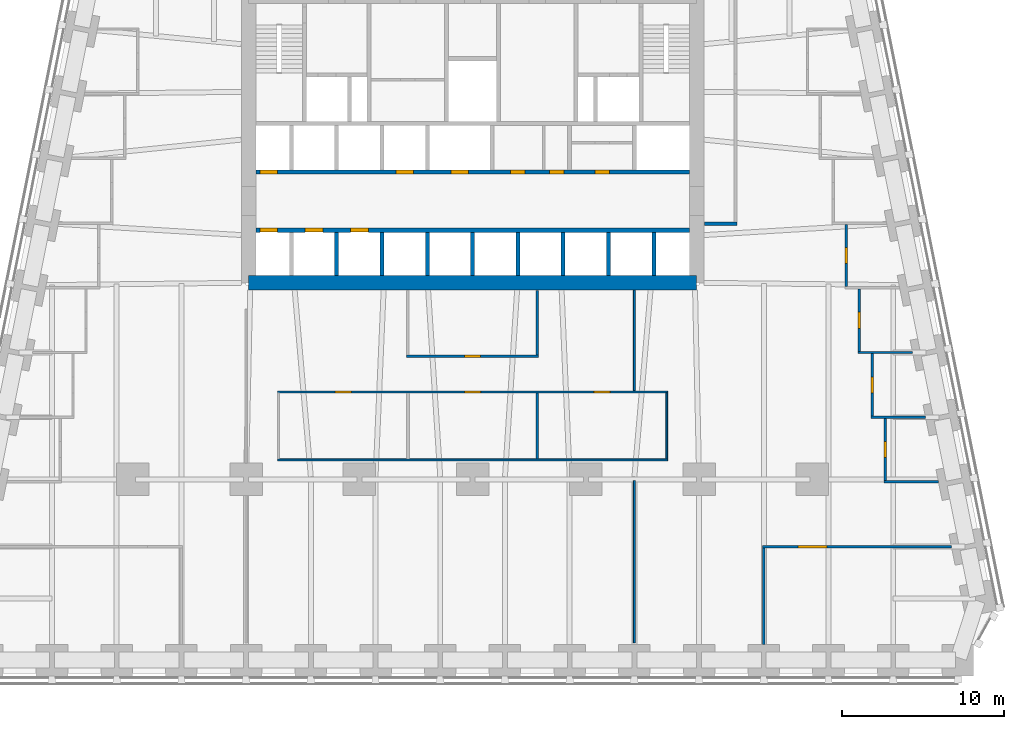
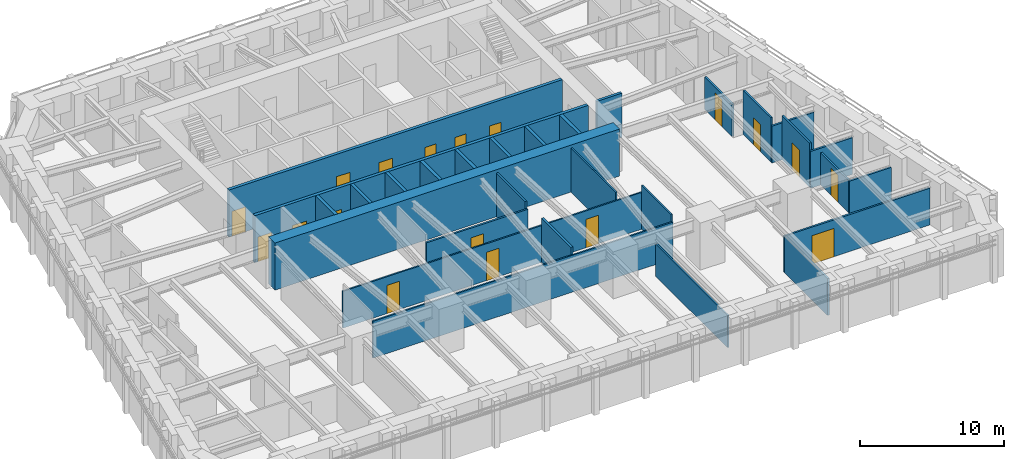
# One storey, part 6 of 10: 29 walls, 18 doors, 18 openings.
"""IFC4 building model written with IfcOpenShell, lengths in metres."""

from ifc_helpers import new_model, si_unit, direction, frame, frame_2d, origin, place, context, subcontext, project, spatial, rectangle, extrude, material, layer, layer_set, type_object, element, fill, save


model = new_model("IFC4")

# Units and contexts
model_context = context("Model", 3, precision=1e-05, world=origin(), true_north=direction((0.0, 1.0)))
body_context = subcontext(model_context, "Body", "Model", "MODEL_VIEW")
ifc_project = project(units=[si_unit("LENGTHUNIT", "METRE"), si_unit("AREAUNIT", "SQUARE_METRE"), si_unit("VOLUMEUNIT", "CUBIC_METRE"), si_unit("PLANEANGLEUNIT", "RADIAN"), si_unit("MASSUNIT", "GRAM", prefix="KILO")], contexts=[model_context])

# Site, building, storey
site_placement = place(None, origin())
site = spatial("IfcSite", under=ifc_project, at=site_placement, CompositionType="ELEMENT")
building_placement = place(site_placement, origin())
building = spatial("IfcBuilding", under=site, at=building_placement, Name="Isbrekke Arena Tower", CompositionType="ELEMENT")
storey_placement = place(building_placement, frame((0.0, 0.0, 88.0)))
storey = spatial("IfcBuildingStorey", under=building, at=storey_placement, Name="L19", CompositionType="ELEMENT", Elevation=88.0)

# Wall
ifc_material_1 = material(Name="Concrete B65 (C65/80)", Category="concrete")
ifc_layer_1 = layer(ifc_material_1, 0.89990234375)
ifc_layer_set_1 = layer_set([ifc_layer_1], Name="CW2 CORE WALL 900")
wall_type_1 = type_object("IfcWallType", Name="CW2 CORE WALL 900", PredefinedType="SHEAR", material=ifc_layer_set_1)
wall_1_placement = place(storey_placement, frame((-13.85009765625, 6.14990234375, 0.0), z_axis=(0.0, 0.0, 1.0), x_axis=(1.0, 0.0, 0.0)))
element("IfcWall", 1, at=wall_1_placement, inside=storey, type_object=wall_type_1, Name="Core wall S L19", PredefinedType="SHEAR", context=body_context, shape_type="SweptSolid", body=[
    extrude(rectangle(XDim=27.7001953125, YDim=0.89990234375, at=frame_2d((13.85009765625, 0.0))), origin(), (0.0, 0.0, 1.0), 4.0),
])

# Wall, openings, doors
ifc_material_2 = material(Name="Concrete B45 (C45/55)", Category="concrete")
ifc_layer_2 = layer(ifc_material_2, 0.25)
ifc_layer_set_2 = layer_set([ifc_layer_2], Name="CW6 SHAFT WALL 250")
wall_type_2 = type_object("IfcWallType", Name="CW6 SHAFT WALL 250", PredefinedType="SHEAR", material=ifc_layer_set_2)
wall_2_placement = place(storey_placement, frame((-13.39990234375, 9.39990234375, 0.0), z_axis=(0.0, 0.0, 1.0), x_axis=(1.0, 0.0, 0.0)))
wall_2 = element("IfcWall", 2, at=wall_2_placement, inside=storey, type_object=wall_type_2, Name="Core wall LS L19", PredefinedType="SHEAR", context=body_context, shape_type="SweptSolid", body=[
    extrude(rectangle(XDim=26.7998046875, YDim=0.25, at=frame_2d((13.39990234375, 0.0))), origin(), (0.0, 0.0, 1.0), 4.0),
])
opening_1_placement = place(wall_2_placement, frame((0.25, 0.0, 0.0)))
opening_1 = element("IfcOpeningElement", 3, at=opening_1_placement, cuts=wall_2, Name="Opening LD1", PredefinedType="OPENING", context=body_context, shape_type="SweptSolid", body=[
    extrude(rectangle(XDim=1.10009765625, YDim=2.10009765625, at=frame_2d((0.550048828125, 1.050048828125))), frame((0.0, 0.139892578125, 0.0), z_axis=(0.0, -1.0, 0.0), x_axis=(1.0, 0.0, 0.0)), (0.0, 0.0, 1.0), 0.27978515625),
])
opening_2_placement = place(wall_2_placement, frame((3.050048828125, 0.0, 0.0)))
opening_2 = element("IfcOpeningElement", 4, at=opening_2_placement, cuts=wall_2, Name="Opening LD1", PredefinedType="OPENING", context=body_context, shape_type="SweptSolid", body=[
    extrude(rectangle(XDim=1.10009765625, YDim=2.10009765625, at=frame_2d((0.550048828125, 1.050048828125))), frame((0.0, 0.139892578125, 0.0), z_axis=(0.0, -1.0, 0.0), x_axis=(1.0, 0.0, 0.0)), (0.0, 0.0, 1.0), 0.27978515625),
])
opening_3_placement = place(wall_2_placement, frame((5.85009765625, 0.0, 0.0)))
opening_3 = element("IfcOpeningElement", 5, at=opening_3_placement, cuts=wall_2, Name="Opening LD1", PredefinedType="OPENING", context=body_context, shape_type="SweptSolid", body=[
    extrude(rectangle(XDim=1.10009765625, YDim=2.10009765625, at=frame_2d((0.550048828125, 1.050048828125))), frame((0.0, 0.139892578125, 0.0), z_axis=(0.0, -1.0, 0.0), x_axis=(1.0, 0.0, 0.0)), (0.0, 0.0, 1.0), 0.27978515625),
])
ifc_material_3 = material(Name="Stainless steel lift landing door", Category="steel")
door_type_1 = type_object("IfcDoorType", Name="LD1 LIFT LANDING DOOR 1100 x 2100", OperationType="SLIDING_TO_LEFT", PredefinedType="DOOR", material=ifc_material_3)
door_1_placement = place(opening_1_placement, origin())
door_1 = element("IfcDoor", 6, at=door_1_placement, inside=storey, type_object=door_type_1, Name="LD1 lift landing door LA L19", OperationType="SLIDING_TO_LEFT", OverallHeight=2.10009765625, OverallWidth=1.10009765625, PredefinedType="DOOR", context=body_context, shape_type="SweptSolid", body=[
    extrude(rectangle(XDim=1.10009765625, YDim=2.10009765625, at=frame_2d((0.550048828125, 1.050048828125))), frame((0.0, 0.124755859375, 0.0), z_axis=(0.0, -1.0, 0.0), x_axis=(1.0, 0.0, 0.0)), (0.0, 0.0, 1.0), 0.24951171875),
])
fill(opening_1, door_1)
door_2_placement = place(opening_2_placement, origin())
door_2 = element("IfcDoor", 7, at=door_2_placement, inside=storey, type_object=door_type_1, Name="LD1 lift landing door LA L19", OperationType="SLIDING_TO_LEFT", OverallHeight=2.10009765625, OverallWidth=1.10009765625, PredefinedType="DOOR", context=body_context, shape_type="SweptSolid", body=[
    extrude(rectangle(XDim=1.10009765625, YDim=2.10009765625, at=frame_2d((0.550048828125, 1.050048828125))), frame((0.0, 0.124755859375, 0.0), z_axis=(0.0, -1.0, 0.0), x_axis=(1.0, 0.0, 0.0)), (0.0, 0.0, 1.0), 0.24951171875),
])
fill(opening_2, door_2)
door_3_placement = place(opening_3_placement, origin())
door_3 = element("IfcDoor", 8, at=door_3_placement, inside=storey, type_object=door_type_1, Name="LD1 lift landing door LA L19", OperationType="SLIDING_TO_LEFT", OverallHeight=2.10009765625, OverallWidth=1.10009765625, PredefinedType="DOOR", context=body_context, shape_type="SweptSolid", body=[
    extrude(rectangle(XDim=1.10009765625, YDim=2.10009765625, at=frame_2d((0.550048828125, 1.050048828125))), frame((0.0, 0.124755859375, 0.0), z_axis=(0.0, -1.0, 0.0), x_axis=(1.0, 0.0, 0.0)), (0.0, 0.0, 1.0), 0.24951171875),
])
fill(opening_3, door_3)

wall_3_placement = place(storey_placement, frame((-13.39990234375, 13.0, 0.0), z_axis=(0.0, 0.0, 1.0), x_axis=(1.0, 0.0, 0.0)))
wall_3 = element("IfcWall", 9, at=wall_3_placement, inside=storey, type_object=wall_type_2, Name="Core wall LN L19", PredefinedType="SHEAR", context=body_context, shape_type="SweptSolid", body=[
    extrude(rectangle(XDim=26.7998046875, YDim=0.25, at=frame_2d((13.39990234375, 0.0))), origin(), (0.0, 0.0, 1.0), 4.0),
])
opening_4_placement = place(wall_3_placement, frame((0.25, 0.0, 0.0)))
opening_4 = element("IfcOpeningElement", 10, at=opening_4_placement, cuts=wall_3, Name="Opening LD1", PredefinedType="OPENING", context=body_context, shape_type="SweptSolid", body=[
    extrude(rectangle(XDim=1.10009765625, YDim=2.10009765625, at=frame_2d((0.550048828125, 1.050048828125))), frame((0.0, 0.139892578125, 0.0), z_axis=(0.0, -1.0, 0.0), x_axis=(1.0, 0.0, 0.0)), (0.0, 0.0, 1.0), 0.27978515625),
])
opening_5_placement = place(wall_3_placement, frame((8.64990234375, 0.0, 0.0)))
opening_5 = element("IfcOpeningElement", 11, at=opening_5_placement, cuts=wall_3, Name="Opening LD1", PredefinedType="OPENING", context=body_context, shape_type="SweptSolid", body=[
    extrude(rectangle(XDim=1.10009765625, YDim=2.10009765625, at=frame_2d((0.550048828125, 1.050048828125))), frame((0.0, 0.139892578125, 0.0), z_axis=(0.0, -1.0, 0.0), x_axis=(1.0, 0.0, 0.0)), (0.0, 0.0, 1.0), 0.27978515625),
])
opening_6_placement = place(wall_3_placement, frame((12.050048828125, 0.0, 0.0)))
opening_6 = element("IfcOpeningElement", 12, at=opening_6_placement, cuts=wall_3, Name="Opening LD1", PredefinedType="OPENING", context=body_context, shape_type="SweptSolid", body=[
    extrude(rectangle(XDim=1.10009765625, YDim=2.10009765625, at=frame_2d((0.550048828125, 1.050048828125))), frame((0.0, 0.139892578125, 0.0), z_axis=(0.0, -1.0, 0.0), x_axis=(1.0, 0.0, 0.0)), (0.0, 0.0, 1.0), 0.27978515625),
])
opening_7_placement = place(wall_3_placement, frame((15.75, 0.0, 0.0)))
opening_7 = element("IfcOpeningElement", 13, at=opening_7_placement, cuts=wall_3, Name="Opening D5", PredefinedType="OPENING", context=body_context, shape_type="SweptSolid", body=[
    extrude(rectangle(XDim=0.89990234375, YDim=2.10009765625, at=frame_2d((0.449951171875, 1.050048828125))), frame((0.0, 0.139892578125, 0.0), z_axis=(0.0, -1.0, 0.0), x_axis=(1.0, 0.0, 0.0)), (0.0, 0.0, 1.0), 0.27978515625),
])
opening_8_placement = place(wall_3_placement, frame((18.14990234375, 0.0, 0.0)))
opening_8 = element("IfcOpeningElement", 14, at=opening_8_placement, cuts=wall_3, Name="Opening D5", PredefinedType="OPENING", context=body_context, shape_type="SweptSolid", body=[
    extrude(rectangle(XDim=0.89990234375, YDim=2.10009765625, at=frame_2d((0.449951171875, 1.050048828125))), frame((0.0, 0.139892578125, 0.0), z_axis=(0.0, -1.0, 0.0), x_axis=(1.0, 0.0, 0.0)), (0.0, 0.0, 1.0), 0.27978515625),
])
opening_9_placement = place(wall_3_placement, frame((20.949951171875, 0.0, 0.0)))
opening_9 = element("IfcOpeningElement", 15, at=opening_9_placement, cuts=wall_3, Name="Opening D5", PredefinedType="OPENING", context=body_context, shape_type="SweptSolid", body=[
    extrude(rectangle(XDim=0.89990234375, YDim=2.10009765625, at=frame_2d((0.449951171875, 1.050048828125))), frame((0.0, 0.139892578125, 0.0), z_axis=(0.0, -1.0, 0.0), x_axis=(1.0, 0.0, 0.0)), (0.0, 0.0, 1.0), 0.27978515625),
])
ifc_material_4 = material(Name="Steel fire door", Category="steel")
door_type_2 = type_object("IfcDoorType", Name="D5 SERVICE DOOR 900 x 2100", OperationType="SINGLE_SWING_LEFT", PredefinedType="DOOR", material=ifc_material_4)
door_4_placement = place(opening_7_placement, origin())
door_4 = element("IfcDoor", 16, at=door_4_placement, inside=storey, type_object=door_type_2, Name="D5 first-aid room door L19", OperationType="SINGLE_SWING_LEFT", OverallHeight=2.10009765625, OverallWidth=0.89990234375, PredefinedType="DOOR", context=body_context, shape_type="SweptSolid", body=[
    extrude(rectangle(XDim=0.89990234375, YDim=2.10009765625, at=frame_2d((0.449951171875, 1.050048828125))), frame((0.0, 0.124755859375, 0.0), z_axis=(0.0, -1.0, 0.0), x_axis=(1.0, 0.0, 0.0)), (0.0, 0.0, 1.0), 0.24951171875),
])
fill(opening_7, door_4)
door_5_placement = place(opening_8_placement, origin())
door_5 = element("IfcDoor", 17, at=door_5_placement, inside=storey, type_object=door_type_2, Name="D5 cleaner's store door L19", OperationType="SINGLE_SWING_LEFT", OverallHeight=2.10009765625, OverallWidth=0.89990234375, PredefinedType="DOOR", context=body_context, shape_type="SweptSolid", body=[
    extrude(rectangle(XDim=0.89990234375, YDim=2.10009765625, at=frame_2d((0.449951171875, 1.050048828125))), frame((0.0, 0.124755859375, 0.0), z_axis=(0.0, -1.0, 0.0), x_axis=(1.0, 0.0, 0.0)), (0.0, 0.0, 1.0), 0.24951171875),
])
fill(opening_8, door_5)
door_6_placement = place(opening_9_placement, origin())
door_6 = element("IfcDoor", 18, at=door_6_placement, inside=storey, type_object=door_type_2, Name="D5 communications room door L19", OperationType="SINGLE_SWING_LEFT", OverallHeight=2.10009765625, OverallWidth=0.89990234375, PredefinedType="DOOR", context=body_context, shape_type="SweptSolid", body=[
    extrude(rectangle(XDim=0.89990234375, YDim=2.10009765625, at=frame_2d((0.449951171875, 1.050048828125))), frame((0.0, 0.124755859375, 0.0), z_axis=(0.0, -1.0, 0.0), x_axis=(1.0, 0.0, 0.0)), (0.0, 0.0, 1.0), 0.24951171875),
])
fill(opening_9, door_6)
door_7_placement = place(opening_4_placement, origin())
door_7 = element("IfcDoor", 19, at=door_7_placement, inside=storey, type_object=door_type_1, Name="LD1 lift landing door LA L19", OperationType="SLIDING_TO_LEFT", OverallHeight=2.10009765625, OverallWidth=1.10009765625, PredefinedType="DOOR", context=body_context, shape_type="SweptSolid", body=[
    extrude(rectangle(XDim=1.10009765625, YDim=2.10009765625, at=frame_2d((0.550048828125, 1.050048828125))), frame((0.0, 0.124755859375, 0.0), z_axis=(0.0, -1.0, 0.0), x_axis=(1.0, 0.0, 0.0)), (0.0, 0.0, 1.0), 0.24951171875),
])
fill(opening_4, door_7)
door_8_placement = place(opening_5_placement, origin())
door_8 = element("IfcDoor", 20, at=door_8_placement, inside=storey, type_object=door_type_1, Name="LD1 lift landing door LA L19", OperationType="SLIDING_TO_LEFT", OverallHeight=2.10009765625, OverallWidth=1.10009765625, PredefinedType="DOOR", context=body_context, shape_type="SweptSolid", body=[
    extrude(rectangle(XDim=1.10009765625, YDim=2.10009765625, at=frame_2d((0.550048828125, 1.050048828125))), frame((0.0, 0.124755859375, 0.0), z_axis=(0.0, -1.0, 0.0), x_axis=(1.0, 0.0, 0.0)), (0.0, 0.0, 1.0), 0.24951171875),
])
fill(opening_5, door_8)
door_9_placement = place(opening_6_placement, origin())
door_9 = element("IfcDoor", 21, at=door_9_placement, inside=storey, type_object=door_type_1, Name="LD1 lift landing door LA L19", OperationType="SLIDING_TO_LEFT", OverallHeight=2.10009765625, OverallWidth=1.10009765625, PredefinedType="DOOR", context=body_context, shape_type="SweptSolid", body=[
    extrude(rectangle(XDim=1.10009765625, YDim=2.10009765625, at=frame_2d((0.550048828125, 1.050048828125))), frame((0.0, 0.124755859375, 0.0), z_axis=(0.0, -1.0, 0.0), x_axis=(1.0, 0.0, 0.0)), (0.0, 0.0, 1.0), 0.24951171875),
])
fill(opening_6, door_9)

# Walls
for number, where, z_axis, x_axis, name in (
    (22, (-8.39990234375, 6.60009765625, 0.0), (0.0, 0.0, 1.0), (0.0, 1.0, 0.0), "Core wall SS02 L19"),
    (23, (-5.60009765625, 6.60009765625, 0.0), (0.0, 0.0, 1.0), (0.0, 1.0, 0.0), "Core wall SS03 L19"),
    (24, (-2.800048828125, 6.60009765625, 0.0), (0.0, 0.0, 1.0), (0.0, 1.0, 0.0), "Core wall SS04 L19"),
    (25, (0.0, 6.60009765625, 0.0), (0.0, 0.0, 1.0), (0.0, 1.0, 0.0), "Core wall SS05 L19"),
    (26, (2.800048828125, 6.60009765625, 0.0), (0.0, 0.0, 1.0), (0.0, 1.0, 0.0), "Core wall SS06 L19"),
    (27, (5.60009765625, 6.60009765625, 0.0), (0.0, 0.0, 1.0), (0.0, 1.0, 0.0), "Core wall SS07 L19"),
    (28, (8.39990234375, 6.60009765625, 0.0), (0.0, 0.0, 1.0), (0.0, 1.0, 0.0), "Core wall SS08 L19"),
    (29, (11.199951171875, 6.60009765625, 0.0), (0.0, 0.0, 1.0), (0.0, 1.0, 0.0), "Core wall SS09 L19"),
):
    element("IfcWall", number, at=place(storey_placement, frame(where, z_axis=z_axis, x_axis=x_axis)), inside=storey, type_object=wall_type_2, Name=name, PredefinedType="SHEAR", context=body_context, shape_type="SweptSolid", body=[
        extrude(rectangle(XDim=2.6748046875, YDim=0.25, at=frame_2d((1.33740234375, 0.0))), origin(), (0.0, 0.0, 1.0), 4.0),
    ])

# Wall, opening, door
ifc_material_5 = material(Name="Gypsum board partition on steel studs", Category="steel")
ifc_layer_3 = layer(ifc_material_5, 0.14990234375)
ifc_layer_set_3 = layer_set([ifc_layer_3], Name="IW1 PARTITION 150")
wall_type_3 = type_object("IfcWallType", Name="IW1 PARTITION 150", PredefinedType="PARTITIONING", material=ifc_layer_set_3)
wall_4_placement = place(storey_placement, frame((17.925048828125, -10.159912109375, 0.0), z_axis=(0.0, 0.0, 1.0), x_axis=(1.0, 0.0, 0.0)))
wall_4 = element("IfcWall", 30, at=wall_4_placement, inside=storey, type_object=wall_type_3, Name="IW1 partition 150 L19", PredefinedType="PARTITIONING", context=body_context, shape_type="SweptSolid", body=[
    extrude(rectangle(XDim=11.67138671875, YDim=0.14990234375, at=frame_2d((5.835693359375, 0.0))), origin(), (0.0, 0.0, 1.0), 3.1298828125),
])
opening_10_placement = place(wall_4_placement, frame((2.175048828125, 0.0, 0.0)))
opening_10 = element("IfcOpeningElement", 31, at=opening_10_placement, cuts=wall_4, Name="Opening D13", PredefinedType="OPENING", context=body_context, shape_type="SweptSolid", body=[
    extrude(rectangle(XDim=1.800048828125, YDim=2.39990234375, at=frame_2d((0.89990234375, 1.199951171875))), frame((0.0, 0.08984375, 0.0), z_axis=(0.0, -1.0, 0.0), x_axis=(1.0, 0.0, 0.0)), (0.0, 0.0, 1.0), 0.1796875),
])
ifc_material_6 = material(Name="Timber door pair", Category="wood")
door_type_3 = type_object("IfcDoorType", Name="D13 DOUBLE ROOM DOOR 1800 x 2400", OperationType="DOUBLE_DOOR_SINGLE_SWING", PredefinedType="DOOR", material=ifc_material_6)
door_10_placement = place(opening_10_placement, origin())
door_10 = element("IfcDoor", 32, at=door_10_placement, inside=storey, type_object=door_type_3, Name="D13 office door L19", OperationType="DOUBLE_DOOR_SINGLE_SWING", OverallHeight=2.39990234375, OverallWidth=1.800048828125, PredefinedType="DOOR", context=body_context, shape_type="SweptSolid", body=[
    extrude(rectangle(XDim=1.800048828125, YDim=2.39990234375, at=frame_2d((0.89990234375, 1.199951171875))), frame((0.0, 0.07470703125, 0.0), z_axis=(0.0, -1.0, 0.0), x_axis=(1.0, 0.0, 0.0)), (0.0, 0.0, 1.0), 0.1494140625),
])
fill(opening_10, door_10)

# Walls
wall_5_placement = place(storey_placement, frame((25.425048828125, -6.159912109375, 0.0), z_axis=(0.0, 0.0, 1.0), x_axis=(1.0, 0.0, 0.0)))
element("IfcWall", 33, at=wall_5_placement, inside=storey, type_object=wall_type_3, Name="IW1 partition 150 L19", PredefinedType="PARTITIONING", context=body_context, shape_type="SweptSolid", body=[
    extrude(rectangle(XDim=3.371337890625, YDim=0.14990234375, at=frame_2d((1.685546875, 0.0))), origin(), (0.0, 0.0, 1.0), 2.741943359375),
])
wall_6_placement = place(storey_placement, frame((24.625, -2.159912109375, 0.0), z_axis=(0.0, 0.0, 1.0), x_axis=(1.0, 0.0, 0.0)))
element("IfcWall", 34, at=wall_6_placement, inside=storey, type_object=wall_type_3, Name="IW1 partition 150 L19", PredefinedType="PARTITIONING", context=body_context, shape_type="SweptSolid", body=[
    extrude(rectangle(XDim=3.371337890625, YDim=0.14990234375, at=frame_2d((1.685546875, 0.0))), origin(), (0.0, 0.0, 1.0), 3.1298828125),
])

# Wall, opening, door
wall_7_placement = place(storey_placement, frame((-4.074951171875, 1.60009765625, 0.0), z_axis=(0.0, 0.0, 1.0), x_axis=(1.0, 0.0, 0.0)))
wall_7 = element("IfcWall", 35, at=wall_7_placement, inside=storey, type_object=wall_type_3, Name="IW1 partition 150 L19", PredefinedType="PARTITIONING", context=body_context, shape_type="SweptSolid", body=[
    extrude(rectangle(XDim=8.14990234375, YDim=0.14990234375, at=frame_2d((4.074951171875, 0.0))), origin(), (0.0, 0.0, 1.0), 3.1298828125),
])
opening_11_placement = place(wall_7_placement, frame((3.574951171875, 0.0, 0.0)))
opening_11 = element("IfcOpeningElement", 36, at=opening_11_placement, cuts=wall_7, Name="Opening D10", PredefinedType="OPENING", context=body_context, shape_type="SweptSolid", body=[
    extrude(rectangle(XDim=1.0, YDim=2.300048828125, at=frame_2d((0.5, 1.14990234375))), frame((0.0, 0.08984375, 0.0), z_axis=(0.0, -1.0, 0.0), x_axis=(1.0, 0.0, 0.0)), (0.0, 0.0, 1.0), 0.1796875),
])
ifc_material_7 = material(Name="Timber door", Category="wood")
door_type_4 = type_object("IfcDoorType", Name="D10 OFFICE DOOR 1000 x 2300", OperationType="SINGLE_SWING_LEFT", PredefinedType="DOOR", material=ifc_material_7)
door_11_placement = place(opening_11_placement, origin())
door_11 = element("IfcDoor", 37, at=door_11_placement, inside=storey, type_object=door_type_4, Name="D10 pantry door L19", OperationType="SINGLE_SWING_LEFT", OverallHeight=2.300048828125, OverallWidth=1.0, PredefinedType="DOOR", context=body_context, shape_type="SweptSolid", body=[
    extrude(rectangle(XDim=1.0, YDim=2.300048828125, at=frame_2d((0.5, 1.14990234375))), frame((0.0, 0.07470703125, 0.0), z_axis=(0.0, -1.0, 0.0), x_axis=(1.0, 0.0, 0.0)), (0.0, 0.0, 1.0), 0.1494140625),
])
fill(opening_11, door_11)

# Walls
wall_8_placement = place(storey_placement, frame((23.824951171875, 1.840087890625, 0.0), z_axis=(0.0, 0.0, 1.0), x_axis=(1.0, 0.0, 0.0)))
element("IfcWall", 38, at=wall_8_placement, inside=storey, type_object=wall_type_3, Name="IW1 partition 150 L19", PredefinedType="PARTITIONING", context=body_context, shape_type="SweptSolid", body=[
    extrude(rectangle(XDim=3.371337890625, YDim=0.14990234375, at=frame_2d((1.685546875, 0.0))), origin(), (0.0, 0.0, 1.0), 3.1298828125),
])
wall_9_placement = place(storey_placement, frame((4.0, 1.675048828125, 0.0), z_axis=(0.0, 0.0, 1.0), x_axis=(0.0, 1.0, 0.0)))
element("IfcWall", 39, at=wall_9_placement, inside=storey, type_object=wall_type_3, Name="IW1 partition 150 L19", PredefinedType="PARTITIONING", context=body_context, shape_type="SweptSolid", body=[
    extrude(rectangle(XDim=3.994873046875, YDim=0.14990234375, at=frame_2d((1.99755859375, 0.0))), origin(), (0.0, 0.0, 1.0), 3.75),
])
wall_10_placement = place(storey_placement, frame((18.0, -16.199951171875, 0.0), z_axis=(0.0, 0.0, 1.0), x_axis=(0.0, 1.0, 0.0)))
element("IfcWall", 40, at=wall_10_placement, inside=storey, type_object=wall_type_3, Name="IW1 partition 150 L19", PredefinedType="PARTITIONING", context=body_context, shape_type="SweptSolid", body=[
    extrude(rectangle(XDim=5.96484375, YDim=0.14990234375, at=frame_2d((2.982421875, 0.0))), origin(), (0.0, 0.0, 1.0), 3.1298828125),
])

# Wall, opening, door
wall_11_placement = place(storey_placement, frame((23.10009765625, 5.9150390625, 0.0), z_axis=(0.0, 0.0, 1.0), x_axis=(0.0, 1.0, 0.0)))
wall_11 = element("IfcWall", 41, at=wall_11_placement, inside=storey, type_object=wall_type_3, Name="IW1 partition 150 L19", PredefinedType="PARTITIONING", context=body_context, shape_type="SweptSolid", body=[
    extrude(rectangle(XDim=3.849853515625, YDim=0.14990234375, at=frame_2d((1.9248046875, 0.0))), origin(), (0.0, 0.0, 1.0), 2.741943359375),
])
opening_12_placement = place(wall_11_placement, frame((1.425048828125, 0.0, 0.0)))
opening_12 = element("IfcOpeningElement", 42, at=opening_12_placement, cuts=wall_11, Name="Opening D10", PredefinedType="OPENING", context=body_context, shape_type="SweptSolid", body=[
    extrude(rectangle(XDim=1.0, YDim=2.300048828125, at=frame_2d((0.5, 1.14990234375))), frame((0.0, 0.08984375, 0.0), z_axis=(0.0, -1.0, 0.0), x_axis=(1.0, 0.0, 0.0)), (0.0, 0.0, 1.0), 0.1796875),
])
door_12_placement = place(opening_12_placement, origin())
door_12 = element("IfcDoor", 43, at=door_12_placement, inside=storey, type_object=door_type_4, Name="D10 office door L19", OperationType="SINGLE_SWING_LEFT", OverallHeight=2.300048828125, OverallWidth=1.0, PredefinedType="DOOR", context=body_context, shape_type="SweptSolid", body=[
    extrude(rectangle(XDim=1.0, YDim=2.300048828125, at=frame_2d((0.5, 1.14990234375))), frame((0.0, 0.07470703125, 0.0), z_axis=(0.0, -1.0, 0.0), x_axis=(1.0, 0.0, 0.0)), (0.0, 0.0, 1.0), 0.1494140625),
])
fill(opening_12, door_12)

wall_12_placement = place(storey_placement, frame((23.89990234375, 1.9150390625, 0.0), z_axis=(0.0, 0.0, 1.0), x_axis=(0.0, 1.0, 0.0)))
wall_12 = element("IfcWall", 44, at=wall_12_placement, inside=storey, type_object=wall_type_3, Name="IW1 partition 150 L19", PredefinedType="PARTITIONING", context=body_context, shape_type="SweptSolid", body=[
    extrude(rectangle(XDim=3.849853515625, YDim=0.14990234375, at=frame_2d((1.9248046875, 0.0))), origin(), (0.0, 0.0, 1.0), 3.75),
])
opening_13_placement = place(wall_12_placement, frame((1.425048828125, 0.0, 0.0)))
opening_13 = element("IfcOpeningElement", 45, at=opening_13_placement, cuts=wall_12, Name="Opening D10", PredefinedType="OPENING", context=body_context, shape_type="SweptSolid", body=[
    extrude(rectangle(XDim=1.0, YDim=2.300048828125, at=frame_2d((0.5, 1.14990234375))), frame((0.0, 0.08984375, 0.0), z_axis=(0.0, -1.0, 0.0), x_axis=(1.0, 0.0, 0.0)), (0.0, 0.0, 1.0), 0.1796875),
])
door_13_placement = place(opening_13_placement, origin())
door_13 = element("IfcDoor", 46, at=door_13_placement, inside=storey, type_object=door_type_4, Name="D10 office door L19", OperationType="SINGLE_SWING_LEFT", OverallHeight=2.300048828125, OverallWidth=1.0, PredefinedType="DOOR", context=body_context, shape_type="SweptSolid", body=[
    extrude(rectangle(XDim=1.0, YDim=2.300048828125, at=frame_2d((0.5, 1.14990234375))), frame((0.0, 0.07470703125, 0.0), z_axis=(0.0, -1.0, 0.0), x_axis=(1.0, 0.0, 0.0)), (0.0, 0.0, 1.0), 0.1494140625),
])
fill(opening_13, door_13)

wall_13_placement = place(storey_placement, frame((24.699951171875, -2.0849609375, 0.0), z_axis=(0.0, 0.0, 1.0), x_axis=(0.0, 1.0, 0.0)))
wall_13 = element("IfcWall", 47, at=wall_13_placement, inside=storey, type_object=wall_type_3, Name="IW1 partition 150 L19", PredefinedType="PARTITIONING", context=body_context, shape_type="SweptSolid", body=[
    extrude(rectangle(XDim=3.849853515625, YDim=0.14990234375, at=frame_2d((1.9248046875, 0.0))), origin(), (0.0, 0.0, 1.0), 3.75),
])
opening_14_placement = place(wall_13_placement, frame((1.425048828125, 0.0, 0.0)))
opening_14 = element("IfcOpeningElement", 48, at=opening_14_placement, cuts=wall_13, Name="Opening D10", PredefinedType="OPENING", context=body_context, shape_type="SweptSolid", body=[
    extrude(rectangle(XDim=1.0, YDim=2.300048828125, at=frame_2d((0.5, 1.14990234375))), frame((0.0, 0.08984375, 0.0), z_axis=(0.0, -1.0, 0.0), x_axis=(1.0, 0.0, 0.0)), (0.0, 0.0, 1.0), 0.1796875),
])
door_14_placement = place(opening_14_placement, origin())
door_14 = element("IfcDoor", 49, at=door_14_placement, inside=storey, type_object=door_type_4, Name="D10 office door L19", OperationType="SINGLE_SWING_LEFT", OverallHeight=2.300048828125, OverallWidth=1.0, PredefinedType="DOOR", context=body_context, shape_type="SweptSolid", body=[
    extrude(rectangle(XDim=1.0, YDim=2.300048828125, at=frame_2d((0.5, 1.14990234375))), frame((0.0, 0.07470703125, 0.0), z_axis=(0.0, -1.0, 0.0), x_axis=(1.0, 0.0, 0.0)), (0.0, 0.0, 1.0), 0.1494140625),
])
fill(opening_14, door_14)

wall_14_placement = place(storey_placement, frame((25.5, -6.0849609375, 0.0), z_axis=(0.0, 0.0, 1.0), x_axis=(0.0, 1.0, 0.0)))
wall_14 = element("IfcWall", 50, at=wall_14_placement, inside=storey, type_object=wall_type_3, Name="IW1 partition 150 L19", PredefinedType="PARTITIONING", context=body_context, shape_type="SweptSolid", body=[
    extrude(rectangle(XDim=3.849853515625, YDim=0.14990234375, at=frame_2d((1.9248046875, 0.0))), origin(), (0.0, 0.0, 1.0), 2.741943359375),
])
opening_15_placement = place(wall_14_placement, frame((1.425048828125, 0.0, 0.0)))
opening_15 = element("IfcOpeningElement", 51, at=opening_15_placement, cuts=wall_14, Name="Opening D10", PredefinedType="OPENING", context=body_context, shape_type="SweptSolid", body=[
    extrude(rectangle(XDim=1.0, YDim=2.300048828125, at=frame_2d((0.5, 1.14990234375))), frame((0.0, 0.08984375, 0.0), z_axis=(0.0, -1.0, 0.0), x_axis=(1.0, 0.0, 0.0)), (0.0, 0.0, 1.0), 0.1796875),
])
door_15_placement = place(opening_15_placement, origin())
door_15 = element("IfcDoor", 52, at=door_15_placement, inside=storey, type_object=door_type_4, Name="D10 office door L19", OperationType="SINGLE_SWING_LEFT", OverallHeight=2.300048828125, OverallWidth=1.0, PredefinedType="DOOR", context=body_context, shape_type="SweptSolid", body=[
    extrude(rectangle(XDim=1.0, YDim=2.300048828125, at=frame_2d((0.5, 1.14990234375))), frame((0.0, 0.07470703125, 0.0), z_axis=(0.0, -1.0, 0.0), x_axis=(1.0, 0.0, 0.0)), (0.0, 0.0, 1.0), 0.1494140625),
])
fill(opening_15, door_15)

# Wall
ifc_material_8 = material(Name="Frameless glazed partition, laminated acoustic glass", Category="glass")
ifc_layer_4 = layer(ifc_material_8, 0.1201171875)
ifc_layer_set_4 = layer_set([ifc_layer_4], Name="IW2 GLAZED PARTITION 120")
wall_type_4 = type_object("IfcWallType", Name="IW2 GLAZED PARTITION 120", PredefinedType="PARTITIONING", material=ifc_layer_set_4)
wall_15_placement = place(storey_placement, frame((-12.06005859375, -4.800048828125, 0.0), z_axis=(0.0, 0.0, 1.0), x_axis=(1.0, 0.0, 0.0)))
element("IfcWall", 53, at=wall_15_placement, inside=storey, type_object=wall_type_4, Name="IW2 glazed partition 120 L19", PredefinedType="PARTITIONING", context=body_context, shape_type="SweptSolid", body=[
    extrude(rectangle(XDim=24.1201171875, YDim=0.1201171875, at=frame_2d((12.06005859375, 0.0))), origin(), (0.0, 0.0, 1.0), 3.1298828125),
])

# Wall, openings, doors
wall_16_placement = place(storey_placement, frame((-12.06005859375, -0.60009765625, 0.0), z_axis=(0.0, 0.0, 1.0), x_axis=(1.0, 0.0, 0.0)))
wall_16 = element("IfcWall", 54, at=wall_16_placement, inside=storey, type_object=wall_type_4, Name="IW2 glazed partition 120 L19", PredefinedType="PARTITIONING", context=body_context, shape_type="SweptSolid", body=[
    extrude(rectangle(XDim=24.1201171875, YDim=0.1201171875, at=frame_2d((12.06005859375, 0.0))), origin(), (0.0, 0.0, 1.0), 3.1298828125),
])
opening_16_placement = place(wall_16_placement, frame((3.56005859375, 0.0, 0.0)))
opening_16 = element("IfcOpeningElement", 55, at=opening_16_placement, cuts=wall_16, Name="Opening D11", PredefinedType="OPENING", context=body_context, shape_type="SweptSolid", body=[
    extrude(rectangle(XDim=1.0, YDim=2.39990234375, at=frame_2d((0.5, 1.199951171875))), frame((0.0, 0.074951171875, 0.0), z_axis=(0.0, -1.0, 0.0), x_axis=(1.0, 0.0, 0.0)), (0.0, 0.0, 1.0), 0.14990234375),
])
opening_17_placement = place(wall_16_placement, frame((11.56005859375, 0.0, 0.0)))
opening_17 = element("IfcOpeningElement", 56, at=opening_17_placement, cuts=wall_16, Name="Opening D11", PredefinedType="OPENING", context=body_context, shape_type="SweptSolid", body=[
    extrude(rectangle(XDim=1.0, YDim=2.39990234375, at=frame_2d((0.5, 1.199951171875))), frame((0.0, 0.074951171875, 0.0), z_axis=(0.0, -1.0, 0.0), x_axis=(1.0, 0.0, 0.0)), (0.0, 0.0, 1.0), 0.14990234375),
])
opening_18_placement = place(wall_16_placement, frame((19.56005859375, 0.0, 0.0)))
opening_18 = element("IfcOpeningElement", 57, at=opening_18_placement, cuts=wall_16, Name="Opening D11", PredefinedType="OPENING", context=body_context, shape_type="SweptSolid", body=[
    extrude(rectangle(XDim=1.0, YDim=2.39990234375, at=frame_2d((0.5, 1.199951171875))), frame((0.0, 0.074951171875, 0.0), z_axis=(0.0, -1.0, 0.0), x_axis=(1.0, 0.0, 0.0)), (0.0, 0.0, 1.0), 0.14990234375),
])
ifc_material_9 = material(Name="Frameless glazed door", Category="glass")
door_type_5 = type_object("IfcDoorType", Name="D11 GLAZED MEETING ROOM DOOR 1000 x 2400", OperationType="SINGLE_SWING_RIGHT", PredefinedType="DOOR", material=ifc_material_9)
door_16_placement = place(opening_16_placement, origin())
door_16 = element("IfcDoor", 58, at=door_16_placement, inside=storey, type_object=door_type_5, Name="D11 meeting room door L19", OperationType="SINGLE_SWING_RIGHT", OverallHeight=2.39990234375, OverallWidth=1.0, PredefinedType="DOOR", context=body_context, shape_type="SweptSolid", body=[
    extrude(rectangle(XDim=1.0, YDim=2.39990234375, at=frame_2d((0.5, 1.199951171875))), frame((0.0, 0.059814453125, 0.0), z_axis=(0.0, -1.0, 0.0), x_axis=(1.0, 0.0, 0.0)), (0.0, 0.0, 1.0), 0.11962890625),
])
fill(opening_16, door_16)
door_17_placement = place(opening_17_placement, origin())
door_17 = element("IfcDoor", 59, at=door_17_placement, inside=storey, type_object=door_type_5, Name="D11 meeting room door L19", OperationType="SINGLE_SWING_RIGHT", OverallHeight=2.39990234375, OverallWidth=1.0, PredefinedType="DOOR", context=body_context, shape_type="SweptSolid", body=[
    extrude(rectangle(XDim=1.0, YDim=2.39990234375, at=frame_2d((0.5, 1.199951171875))), frame((0.0, 0.059814453125, 0.0), z_axis=(0.0, -1.0, 0.0), x_axis=(1.0, 0.0, 0.0)), (0.0, 0.0, 1.0), 0.11962890625),
])
fill(opening_17, door_17)
door_18_placement = place(opening_18_placement, origin())
door_18 = element("IfcDoor", 60, at=door_18_placement, inside=storey, type_object=door_type_5, Name="D11 meeting room door L19", OperationType="SINGLE_SWING_RIGHT", OverallHeight=2.39990234375, OverallWidth=1.0, PredefinedType="DOOR", context=body_context, shape_type="SweptSolid", body=[
    extrude(rectangle(XDim=1.0, YDim=2.39990234375, at=frame_2d((0.5, 1.199951171875))), frame((0.0, 0.059814453125, 0.0), z_axis=(0.0, -1.0, 0.0), x_axis=(1.0, 0.0, 0.0)), (0.0, 0.0, 1.0), 0.11962890625),
])
fill(opening_18, door_18)

# Walls
wall_17_placement = place(storey_placement, frame((12.0, -4.739990234375, 0.0), z_axis=(0.0, 0.0, 1.0), x_axis=(0.0, 1.0, 0.0)))
element("IfcWall", 61, at=wall_17_placement, inside=storey, type_object=wall_type_4, Name="IW2 glazed partition 120 L19", PredefinedType="PARTITIONING", context=body_context, shape_type="SweptSolid", body=[
    extrude(rectangle(XDim=4.080078125, YDim=0.1201171875, at=frame_2d((2.0400390625, 0.0))), origin(), (0.0, 0.0, 1.0), 3.75),
])
wall_18_placement = place(storey_placement, frame((10.0009765625, -16.10009765625, 0.0), z_axis=(0.0, 0.0, 1.0), x_axis=(0.0, 1.0, 0.0)))
element("IfcWall", 62, at=wall_18_placement, inside=storey, type_object=wall_type_4, Name="IW2 glazed partition 120 L19", PredefinedType="PARTITIONING", context=body_context, shape_type="SweptSolid", body=[
    extrude(rectangle(XDim=10.02001953125, YDim=0.1201171875, at=frame_2d((5.010009765625, 0.0))), origin(), (0.0, 0.0, 1.0), 2.741943359375),
])
wall_19_placement = place(storey_placement, frame((10.0009765625, -0.52001953125, 0.0), z_axis=(0.0, 0.0, 1.0), x_axis=(0.0, 1.0, 0.0)))
element("IfcWall", 63, at=wall_19_placement, inside=storey, type_object=wall_type_4, Name="IW2 glazed partition 120 L19", PredefinedType="PARTITIONING", context=body_context, shape_type="SweptSolid", body=[
    extrude(rectangle(XDim=6.219970703125, YDim=0.1201171875, at=frame_2d((3.10986328125, 0.0))), origin(), (0.0, 0.0, 1.0), 3.75),
])
ifc_material_10 = material(Name="Gypsum board fire-cell wall on steel studs, two layers each side", Category="steel")
ifc_layer_5 = layer(ifc_material_10, 0.199951171875)
ifc_layer_set_5 = layer_set([ifc_layer_5], Name="IW3 FIRE-CELL WALL 200")
wall_type_5 = type_object("IfcWallType", Name="IW3 FIRE-CELL WALL 200", PredefinedType="PARTITIONING", material=ifc_layer_set_5)
wall_20_placement = place(storey_placement, frame((14.330078125, 9.800048828125, 0.0), z_axis=(0.0, 0.0, 1.0), x_axis=(1.0, 0.0, 0.0)))
element("IfcWall", 64, at=wall_20_placement, inside=storey, type_object=wall_type_5, Name="IW3 fire-cell wall 200 L19", PredefinedType="PARTITIONING", context=body_context, shape_type="SweptSolid", body=[
    extrude(rectangle(XDim=2.02001953125, YDim=0.199951171875, at=frame_2d((1.010009765625, 0.0))), origin(), (0.0, 0.0, 1.0), 3.75),
])
ifc_material_11 = material(Name="Gypsum board acoustic partition on twin steel studs", Category="steel")
ifc_layer_6 = layer(ifc_material_11, 0.175048828125)
ifc_layer_set_6 = layer_set([ifc_layer_6], Name="IW4 ACOUSTIC PARTITION 175")
wall_type_6 = type_object("IfcWallType", Name="IW4 ACOUSTIC PARTITION 175", PredefinedType="PARTITIONING", material=ifc_layer_set_6)
wall_21_placement = place(storey_placement, frame((4.0, -4.739990234375, 0.0), z_axis=(0.0, 0.0, 1.0), x_axis=(0.0, 1.0, 0.0)))
element("IfcWall", 65, at=wall_21_placement, inside=storey, type_object=wall_type_6, Name="IW4 acoustic partition 175 L19", PredefinedType="PARTITIONING", context=body_context, shape_type="SweptSolid", body=[
    extrude(rectangle(XDim=4.080078125, YDim=0.175048828125, at=frame_2d((2.0400390625, 0.0))), origin(), (0.0, 0.0, 1.0), 3.75),
])

save(model, "model.ifc")
